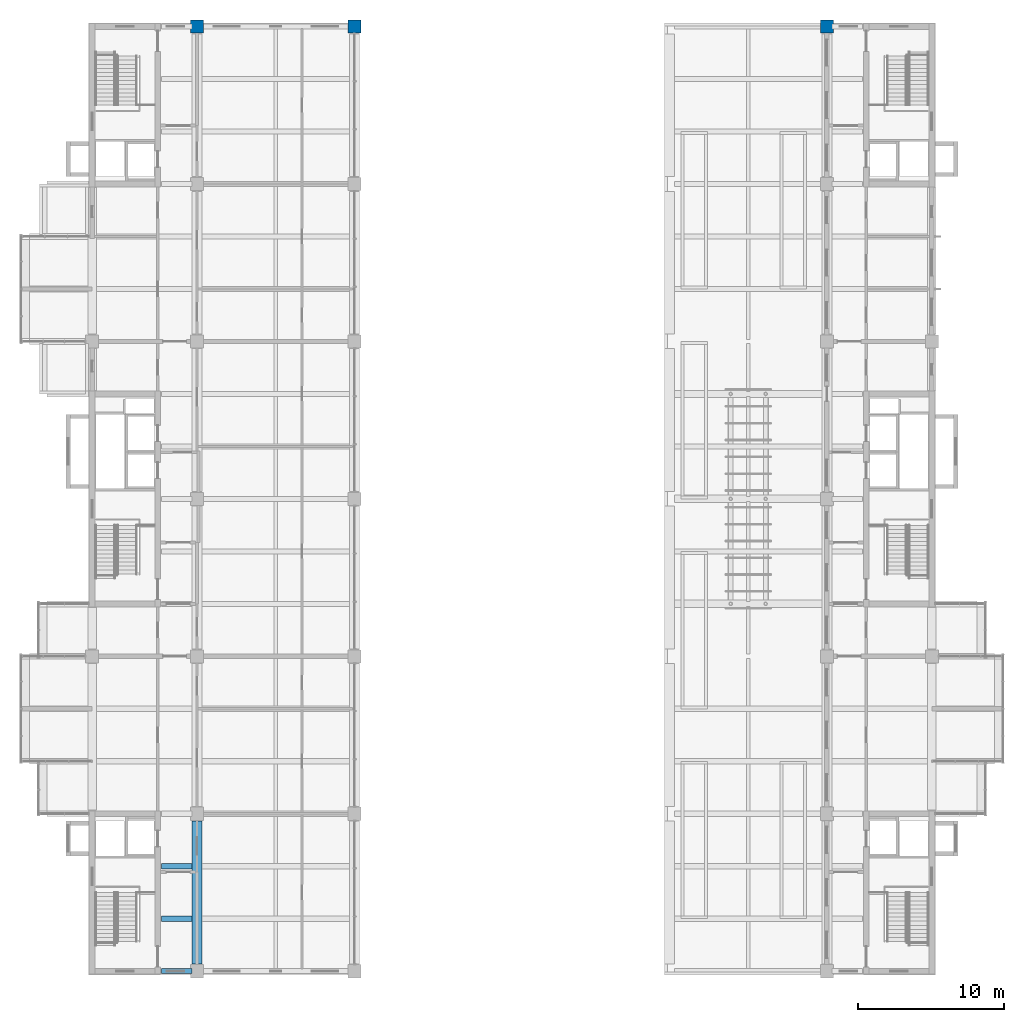
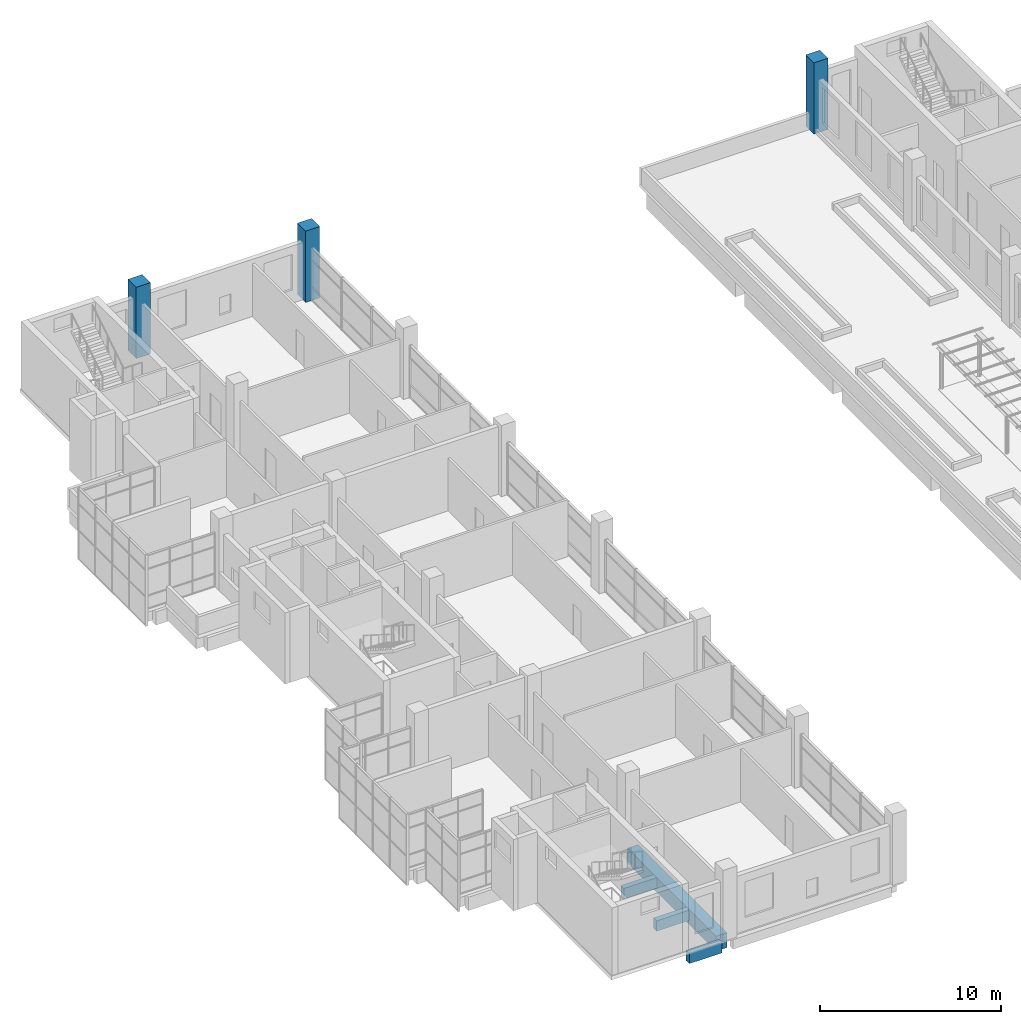
# One storey, part 5 of 32: 4 beams, 3 columns.
"""IFC4 building model written with IfcOpenShell, lengths in metres."""

from ifc_helpers import new_model, si_unit, direction, frame, origin, origin_2d, place, context, subcontext, project, spatial, rectangle, extrude, material, material_profile, profile_set, type_object, element, save


model = new_model("IFC4")

# Units and contexts
model_context = context("Model", 3, precision=1e-05, world=origin(), true_north=direction((0.0, 1.0)))
body_context = subcontext(model_context, "Body", "Model", "MODEL_VIEW")
ifc_project = project(units=[si_unit("LENGTHUNIT", "METRE"), si_unit("AREAUNIT", "SQUARE_METRE"), si_unit("VOLUMEUNIT", "CUBIC_METRE"), si_unit("PLANEANGLEUNIT", "RADIAN"), si_unit("MASSUNIT", "GRAM", prefix="KILO")], contexts=[model_context])

# Site, building, storey
site_placement = place(None, origin())
site = spatial("IfcSite", under=ifc_project, at=site_placement, CompositionType="ELEMENT")
building_placement = place(site_placement, origin())
building = spatial("IfcBuilding", under=site, at=building_placement, Name="Basin Gate Institute", CompositionType="ELEMENT")
storey_placement = place(building_placement, frame((0.0, 0.0, 41.39990234375)))
storey = spatial("IfcBuildingStorey", under=building, at=storey_placement, Name="L08", CompositionType="ELEMENT", Elevation=41.39990234375)

# Columns
ifc_material_1 = material(Name="Concrete 50 MPa", Category="concrete")
ifc_material_profile_1 = material_profile(ifc_material_1, rectangle(XDim=0.89990234375, YDim=0.89990234375, at=origin_2d()), Name="Column C3 900 x 900")
ifc_profile_set_1 = profile_set([ifc_material_profile_1], Name="Concrete 50 MPa")
column_type = type_object("IfcColumnType", Name="Column C3 R120", PredefinedType="COLUMN", material=ifc_profile_set_1)
for number, where, z_axis, x_axis, name in (
    (1, (68.39990234375, 99.89990234375, 0.0), (0.0, 0.0, 1.0), (1.0, 0.0, 0.0), "COL/L08/5G"),
    (2, (79.199951171875, 99.89990234375, 0.0), (0.0, 0.0, 1.0), (1.0, 0.0, 0.0), "COL/L08/6G"),
    (3, (111.60009765625, 99.89990234375, 0.0), (0.0, 0.0, 1.0), (1.0, 0.0, 0.0), "COL/L08/8G"),
):
    element("IfcColumn", number, at=place(storey_placement, frame(where, z_axis=z_axis, x_axis=x_axis)), inside=storey, type_object=column_type, material=ifc_profile_set_1, Name=name, PredefinedType="COLUMN", context=body_context, shape_type="SweptSolid", body=[
        extrude(rectangle(XDim=0.89990234375, YDim=0.89990234375, at=origin_2d()), origin(), (0.0, 0.0, 1.0), 4.800048828125),
    ])

# Beams
ifc_material_2 = material(Name="Concrete 40 MPa", Category="concrete")
ifc_material_profile_2 = material_profile(ifc_material_2, rectangle(XDim=0.35009765625, YDim=0.699951171875, at=origin_2d()), Name="Beam B1 350 x 700")
ifc_profile_set_2 = profile_set([ifc_material_profile_2], Name="Concrete 40 MPa")
beam_type_1 = type_object("IfcBeamType", Name="Beam B1 R120", PredefinedType="BEAM", material=ifc_profile_set_2)
for number, where, z_axis, x_axis, name in (
    (4, (65.949951171875, 35.10009765625, -0.599853515625), (1.0, 0.0, 0.0), (0.0, 1.0, 0.0), "BEAM/L08/W/CORR/01"),
    (5, (65.949951171875, 38.699951171875, -0.599853515625), (1.0, 0.0, 0.0), (0.0, 1.0, 0.0), "BEAM/L08/W/CORR/02"),
    (6, (65.949951171875, 42.300048828125, -0.599853515625), (1.0, 0.0, 0.0), (0.0, 1.0, 0.0), "BEAM/L08/W/CORR/03"),
):
    element("IfcBeam", number, at=place(storey_placement, frame(where, z_axis=z_axis, x_axis=x_axis)), inside=storey, type_object=beam_type_1, material=ifc_profile_set_2, Name=name, PredefinedType="BEAM", context=body_context, shape_type="SweptSolid", body=[
        extrude(rectangle(XDim=0.35009765625, YDim=0.699951171875, at=origin_2d()), origin(), (0.0, 0.0, 1.0), 2.10009765625),
    ])
ifc_material_3 = material(Name="Concrete 50 MPa", Category="concrete")
ifc_material_profile_3 = material_profile(ifc_material_3, rectangle(XDim=0.699951171875, YDim=1.0, at=origin_2d()), Name="Girder G1 700 x 1000")
ifc_profile_set_3 = profile_set([ifc_material_profile_3], Name="Concrete 50 MPa")
beam_type_2 = type_object("IfcBeamType", Name="Girder G1 R120", PredefinedType="BEAM", material=ifc_profile_set_3)
beam_placement = place(storey_placement, frame((68.39990234375, 35.60009765625, -0.75), z_axis=(0.0, 1.0, 0.0), x_axis=(-1.0, 0.0, 0.0)))
element("IfcBeam", 7, at=beam_placement, inside=storey, type_object=beam_type_2, material=ifc_profile_set_3, Name="GIR/L08/W5/1", PredefinedType="BEAM", context=body_context, shape_type="SweptSolid", body=[
    extrude(rectangle(XDim=0.699951171875, YDim=1.0, at=origin_2d()), origin(), (0.0, 0.0, 1.0), 9.7998046875),
])

save(model, "model.ifc")
